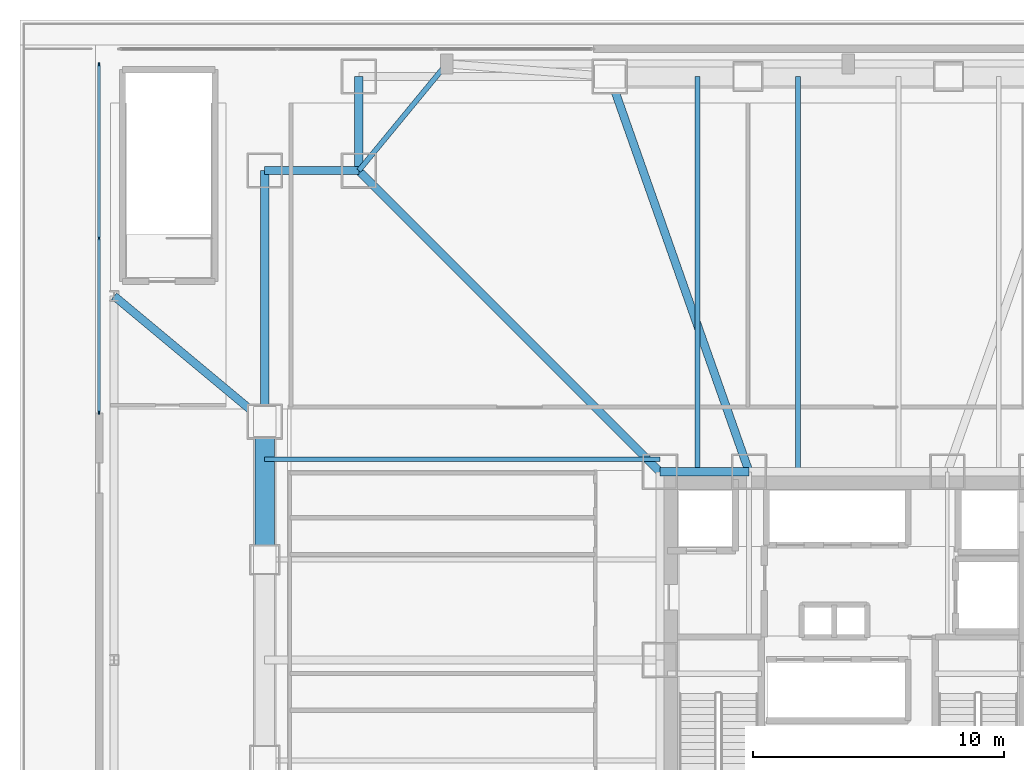
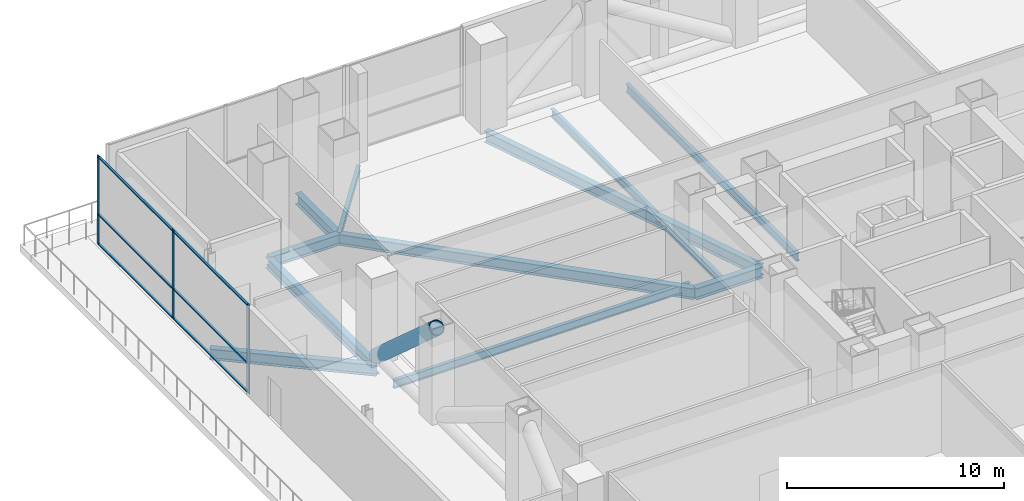
# One storey, part 7 of 21: 11 beams, 10 members, 1 element without a shape of its own.
"""IFC4 building model written with IfcOpenShell, lengths in metres."""

from ifc_helpers import new_model, si_unit, direction, frame, origin, origin_2d, place, context, subcontext, project, spatial, rectangle, hollow_circle, i_section, extrude, material, layer, layer_set, material_profile, profile_set, type_object, element, aggregate, save


model = new_model("IFC4")

# Units and contexts
model_context = context("Model", 3, precision=1e-05, world=origin(), true_north=direction((0.0, 1.0)))
body_context = subcontext(model_context, "Body", "Model", "MODEL_VIEW")
ifc_project = project(units=[si_unit("LENGTHUNIT", "METRE"), si_unit("AREAUNIT", "SQUARE_METRE"), si_unit("VOLUMEUNIT", "CUBIC_METRE"), si_unit("PLANEANGLEUNIT", "RADIAN"), si_unit("MASSUNIT", "GRAM", prefix="KILO")], contexts=[model_context])

# Site, building, storey
site_placement = place(None, origin())
site = spatial("IfcSite", under=ifc_project, at=site_placement, CompositionType="ELEMENT")
building_placement = place(site_placement, origin())
building = spatial("IfcBuilding", under=site, at=building_placement, Name="Trevonay Congress Spire", CompositionType="ELEMENT")
storey_placement = place(building_placement, frame((0.0, 0.0, 21.60009765625)))
storey = spatial("IfcBuildingStorey", under=building, at=storey_placement, Name="L04", CompositionType="ELEMENT", Elevation=21.60009765625)

# Beams
ifc_material_1 = material(Name="Steel ASTM A572 Grade 50", Category="steel")
ifc_material_profile_1 = material_profile(ifc_material_1, i_section(OverallWidth=0.324951171875, OverallDepth=0.615966796875, WebThickness=0.013916015625, FlangeThickness=0.021484375, FilletRadius=0.01806640625, at=origin_2d()), Name="W610x174")
ifc_profile_set_1 = profile_set([ifc_material_profile_1], Name="Steel ASTM A572 Grade 50")
beam_type_1 = type_object("IfcBeamType", Name="BM-GIRD-W610X174", PredefinedType="BEAM", material=ifc_profile_set_1)
beam_1_placement = place(storey_placement, frame((-19.5, 23.25, -0.7080078125), z_axis=(0.0, -1.0, 0.0), x_axis=(1.0, 0.0, 0.0)))
element("IfcBeam", 1, at=beam_1_placement, inside=storey, type_object=beam_type_1, Name="L04 structural beam BM-L04-CNW", PredefinedType="BEAM", context=body_context, shape_type="SweptSolid", body=[
    extrude(i_section(OverallWidth=0.324951171875, OverallDepth=0.615966796875, WebThickness=0.013916015625, FlangeThickness=0.021484375, FilletRadius=0.01806640625, at=origin_2d()), origin(), (0.0, 0.0, 1.0), 3.75),
])
beam_2_placement = place(storey_placement, frame((-23.25, 9.5, -0.7080078125), z_axis=(0.0, 1.0, 0.0), x_axis=(-1.0, 0.0, 0.0)))
element("IfcBeam", 2, at=beam_2_placement, inside=storey, type_object=beam_type_1, Name="L04 structural beam BM-L04-MW3", PredefinedType="BEAM", context=body_context, shape_type="SweptSolid", body=[
    extrude(i_section(OverallWidth=0.324951171875, OverallDepth=0.615966796875, WebThickness=0.013916015625, FlangeThickness=0.021484375, FilletRadius=0.01806640625, at=origin_2d()), origin(), (0.0, 0.0, 1.0), 10.0),
])
beam_3_placement = place(storey_placement, frame((-23.25, 19.5, -0.7080078125), z_axis=(1.0, 0.0, 0.0), x_axis=(0.0, 1.0, 0.0)))
element("IfcBeam", 3, at=beam_3_placement, inside=storey, type_object=beam_type_1, Name="L04 structural beam BM-L04-CWN", PredefinedType="BEAM", context=body_context, shape_type="SweptSolid", body=[
    extrude(i_section(OverallWidth=0.324951171875, OverallDepth=0.615966796875, WebThickness=0.013916015625, FlangeThickness=0.021484375, FilletRadius=0.01806640625, at=origin_2d()), origin(), (0.0, 0.0, 1.0), 3.75),
])
beam_4_placement = place(storey_placement, frame((-7.5, 7.5, -0.7080078125), z_axis=(-0.707106781187, 0.707106781187, 0.0), x_axis=(-0.707106781187, -0.707106781187, 0.0)))
element("IfcBeam", 4, at=beam_4_placement, inside=storey, type_object=beam_type_1, Name="L04 structural beam BM-L04-RAD-NW", PredefinedType="BEAM", context=body_context, shape_type="SweptSolid", body=[
    extrude(i_section(OverallWidth=0.324951171875, OverallDepth=0.615966796875, WebThickness=0.013916015625, FlangeThickness=0.021484375, FilletRadius=0.01806640625, at=origin_2d()), origin(), (0.0, 0.0, 1.0), 16.970458984375),
])
beam_5_placement = place(storey_placement, frame((-3.949951171875, 7.5, -0.7080078125), z_axis=(-0.332352826786, 0.943155129619, 0.0), x_axis=(-0.943155129619, -0.332352826786, 0.0)))
element("IfcBeam", 5, at=beam_5_placement, inside=storey, type_object=beam_type_1, Name="L04 structural beam BM-L04-RAD-N1", PredefinedType="BEAM", context=body_context, shape_type="SweptSolid", body=[
    extrude(i_section(OverallWidth=0.324951171875, OverallDepth=0.615966796875, WebThickness=0.013916015625, FlangeThickness=0.021484375, FilletRadius=0.01806640625, at=origin_2d()), origin(), (0.0, 0.0, 1.0), 16.69921875),
])
beam_6_placement = place(storey_placement, frame((-23.25, 9.5, -0.7080078125), z_axis=(-0.768221279597, 0.640184399664, 0.0), x_axis=(-0.640184399664, -0.768221279597, 0.0)))
element("IfcBeam", 6, at=beam_6_placement, inside=storey, type_object=beam_type_1, Name="L04 structural beam BM-L04-POD-WT2", PredefinedType="BEAM", context=body_context, shape_type="SweptSolid", body=[
    extrude(i_section(OverallWidth=0.324951171875, OverallDepth=0.615966796875, WebThickness=0.013916015625, FlangeThickness=0.021484375, FilletRadius=0.01806640625, at=origin_2d()), origin(), (0.0, 0.0, 1.0), 7.810302734375),
])
ifc_material_profile_2 = material_profile(ifc_material_1, i_section(OverallWidth=0.3291015625, OverallDepth=0.635009765625, WebThickness=0.017822265625, FlangeThickness=0.031005859375, FilletRadius=0.01806640625, at=origin_2d()), Name="W610x241")
ifc_profile_set_2 = profile_set([ifc_material_profile_2], Name="Steel ASTM A572 Grade 50")
beam_type_2 = type_object("IfcBeamType", Name="BM-GIRD-W610X241", PredefinedType="BEAM", material=ifc_profile_set_2)
beam_7_placement = place(storey_placement, frame((-7.5, 7.5, -0.717529296875), z_axis=(1.0, 0.0, 0.0), x_axis=(0.0, 1.0, 0.0)))
element("IfcBeam", 7, at=beam_7_placement, inside=storey, type_object=beam_type_2, Name="L04 structural beam BM-L04-CR-N1", PredefinedType="BEAM", context=body_context, shape_type="SweptSolid", body=[
    extrude(i_section(OverallWidth=0.3291015625, OverallDepth=0.635009765625, WebThickness=0.017822265625, FlangeThickness=0.031005859375, FilletRadius=0.01806640625, at=origin_2d()), origin(), (0.0, 0.0, 1.0), 3.550048828125),
])

# Curtain wall, members
ifc_material_2 = material(Name="Pale Anodised Aluminium EN AW-6063-T6", Category="aluminium")
ifc_layer = layer(ifc_material_2, 0.179931640625, Name="Pale Anodised Aluminium EN AW-6063-T6")
ifc_layer_set = layer_set([ifc_layer], Name="Pale Anodised Aluminium EN AW-6063-T6")
curtain_wall_type = type_object("IfcCurtainWallType", Name="CW-SYS01-PODIUM-PALE-METAL", PredefinedType="NOTDEFINED", material=ifc_layer_set)
curtain_wall_placement = place(storey_placement, origin())
curtain_wall = element("IfcCurtainWall", 8, at=curtain_wall_placement, inside=storey, type_object=curtain_wall_type, Name="L04 W2 podium curtain wall", PredefinedType="NOTDEFINED")
ifc_material_profile_3 = material_profile(ifc_material_2, rectangle(XDim=0.06005859375, YDim=0.159912109375, at=origin_2d()), Name="CW-MULLION-160-ALUMINIUM")
ifc_profile_set_3 = profile_set([ifc_material_profile_3], Name="Pale Anodised Aluminium EN AW-6063-T6")
member_type_1 = type_object("IfcMemberType", Name="CW-MULLION-160-ALUMINIUM", PredefinedType="MULLION", material=ifc_profile_set_3)
member_1_placement = place(storey_placement, frame((-29.85009765625, 9.8798828125, 0.0), z_axis=(0.0, 0.0, 1.0), x_axis=(-1.0, 0.0, 0.0)))
member_1 = element("IfcMember", 9, at=member_1_placement, type_object=member_type_1, Name="CW01 mullion 1", PredefinedType="MULLION", context=body_context, shape_type="SweptSolid", body=[
    extrude(rectangle(XDim=0.06005859375, YDim=0.159912109375, at=origin_2d()), origin(), (0.0, 0.0, 1.0), 5.0),
])
member_2_placement = place(storey_placement, frame((-29.85009765625, 16.800048828125, 0.0), z_axis=(0.0, 0.0, 1.0), x_axis=(-1.0, 0.0, 0.0)))
member_2 = element("IfcMember", 10, at=member_2_placement, type_object=member_type_1, Name="CW01 mullion 2", PredefinedType="MULLION", context=body_context, shape_type="SweptSolid", body=[
    extrude(rectangle(XDim=0.06005859375, YDim=0.159912109375, at=origin_2d()), origin(), (0.0, 0.0, 1.0), 5.0),
])
member_3_placement = place(storey_placement, frame((-29.85009765625, 23.719970703125, 0.0), z_axis=(0.0, 0.0, 1.0), x_axis=(-1.0, 0.0, 0.0)))
member_3 = element("IfcMember", 11, at=member_3_placement, type_object=member_type_1, Name="CW01 mullion 3", PredefinedType="MULLION", context=body_context, shape_type="SweptSolid", body=[
    extrude(rectangle(XDim=0.06005859375, YDim=0.159912109375, at=origin_2d()), origin(), (0.0, 0.0, 1.0), 5.0),
])
ifc_material_profile_4 = material_profile(ifc_material_2, rectangle(XDim=0.1201171875, YDim=0.06005859375, at=origin_2d()), Name="CW-TRANSOM-120-ALUMINIUM")
ifc_profile_set_4 = profile_set([ifc_material_profile_4], Name="Pale Anodised Aluminium EN AW-6063-T6")
member_type_2 = type_object("IfcMemberType", Name="CW-TRANSOM-120-ALUMINIUM", PredefinedType="USERDEFINED", material=ifc_profile_set_4)
member_4_placement = place(storey_placement, frame((-29.85009765625, 9.909912109375, 0.059814453125), z_axis=(0.0, 1.0, 0.0), x_axis=(-1.0, 0.0, 0.0)))
member_4 = element("IfcMember", 12, at=member_4_placement, type_object=member_type_2, Name="CW01 transom 1.1", ObjectType="TRANSOM", PredefinedType="USERDEFINED", context=body_context, shape_type="SweptSolid", body=[
    extrude(rectangle(XDim=0.1201171875, YDim=0.06005859375, at=origin_2d()), origin(), (0.0, 0.0, 1.0), 6.860107421875),
])
member_5_placement = place(storey_placement, frame((-29.85009765625, 9.909912109375, 1.699951171875), z_axis=(0.0, 1.0, 0.0), x_axis=(-1.0, 0.0, 0.0)))
member_5 = element("IfcMember", 13, at=member_5_placement, type_object=member_type_2, Name="CW01 transom 1.2", ObjectType="TRANSOM", PredefinedType="USERDEFINED", context=body_context, shape_type="SweptSolid", body=[
    extrude(rectangle(XDim=0.1201171875, YDim=0.06005859375, at=origin_2d()), origin(), (0.0, 0.0, 1.0), 6.860107421875),
])
member_6_placement = place(storey_placement, frame((-29.85009765625, 9.909912109375, 4.93994140625), z_axis=(0.0, 1.0, 0.0), x_axis=(-1.0, 0.0, 0.0)))
member_6 = element("IfcMember", 14, at=member_6_placement, type_object=member_type_2, Name="CW01 transom 1.3", ObjectType="TRANSOM", PredefinedType="USERDEFINED", context=body_context, shape_type="SweptSolid", body=[
    extrude(rectangle(XDim=0.1201171875, YDim=0.06005859375, at=origin_2d()), origin(), (0.0, 0.0, 1.0), 6.860107421875),
])
member_7_placement = place(storey_placement, frame((-29.85009765625, 16.830078125, 0.059814453125), z_axis=(0.0, 1.0, 0.0), x_axis=(-1.0, 0.0, 0.0)))
member_7 = element("IfcMember", 15, at=member_7_placement, type_object=member_type_2, Name="CW01 transom 2.1", ObjectType="TRANSOM", PredefinedType="USERDEFINED", context=body_context, shape_type="SweptSolid", body=[
    extrude(rectangle(XDim=0.1201171875, YDim=0.06005859375, at=origin_2d()), origin(), (0.0, 0.0, 1.0), 6.85986328125),
])
member_8_placement = place(storey_placement, frame((-29.85009765625, 16.830078125, 1.699951171875), z_axis=(0.0, 1.0, 0.0), x_axis=(-1.0, 0.0, 0.0)))
member_8 = element("IfcMember", 16, at=member_8_placement, type_object=member_type_2, Name="CW01 transom 2.2", ObjectType="TRANSOM", PredefinedType="USERDEFINED", context=body_context, shape_type="SweptSolid", body=[
    extrude(rectangle(XDim=0.1201171875, YDim=0.06005859375, at=origin_2d()), origin(), (0.0, 0.0, 1.0), 6.85986328125),
])
member_9_placement = place(storey_placement, frame((-29.85009765625, 16.830078125, 4.93994140625), z_axis=(0.0, 1.0, 0.0), x_axis=(-1.0, 0.0, 0.0)))
member_9 = element("IfcMember", 17, at=member_9_placement, type_object=member_type_2, Name="CW01 transom 2.3", ObjectType="TRANSOM", PredefinedType="USERDEFINED", context=body_context, shape_type="SweptSolid", body=[
    extrude(rectangle(XDim=0.1201171875, YDim=0.06005859375, at=origin_2d()), origin(), (0.0, 0.0, 1.0), 6.85986328125),
])
aggregate(curtain_wall, [member_1, member_2, member_3, member_4, member_5, member_6, member_7, member_8, member_9])

# Beams
ifc_material_profile_5 = material_profile(ifc_material_1, i_section(OverallWidth=0.18994140625, OverallDepth=0.45703125, WebThickness=0.009033203125, FlangeThickness=0.014404296875, FilletRadius=0.013916015625, at=origin_2d()), Name="W460x74")
ifc_profile_set_5 = profile_set([ifc_material_profile_5], Name="Steel ASTM A572 Grade 50")
beam_type_3 = type_object("IfcBeamType", Name="JS-COMP-W460X74", PredefinedType="JOIST", material=ifc_profile_set_5)
for number, where, z_axis, x_axis, name in (
    (18, (-23.25, 8.0, -0.628662109375), (1.0, 0.0, 0.0), (0.0, 1.0, 0.0), "L04 structural beam JS-L04-WH4"),
    (19, (-6.0, 7.5, -0.628662109375), (0.0, 1.0, 0.0), (-1.0, 0.0, 0.0), "L04 structural beam JS-L04-NH1"),
    (20, (-2.0, 7.5, -0.628662109375), (0.0, 1.0, 0.0), (-1.0, 0.0, 0.0), "L04 structural beam JS-L04-NH2"),
):
    element("IfcBeam", number, at=place(storey_placement, frame(where, z_axis=z_axis, x_axis=x_axis)), inside=storey, type_object=beam_type_3, Name=name, PredefinedType="JOIST", context=body_context, shape_type="SweptSolid", body=[
        extrude(i_section(OverallWidth=0.18994140625, OverallDepth=0.45703125, WebThickness=0.009033203125, FlangeThickness=0.014404296875, FilletRadius=0.013916015625, at=origin_2d()), origin(), (0.0, 0.0, 1.0), 15.75),
    ])

# Member
ifc_material_profile_6 = material_profile(ifc_material_1, hollow_circle(Radius=0.381103515625, WallThickness=0.0400390625, at=origin_2d()), Name="CHS 762x40")
ifc_profile_set_6 = profile_set([ifc_material_profile_6], Name="Steel ASTM A572 Grade 50")
member_type_3 = type_object("IfcMemberType", Name="MBR-OUTRIG-CHS762", PredefinedType="BRACE", material=ifc_profile_set_6)
member_10_placement = place(storey_placement, frame((-23.25, 9.5, 0.0498046875), z_axis=(0.0, -0.746649966155, 0.665217128493), x_axis=(1.0, 0.0, 0.0)))
element("IfcMember", 21, at=member_10_placement, inside=storey, type_object=member_type_3, Name="Podium 24m hall transfer truss W diagonal 3", PredefinedType="BRACE", context=body_context, shape_type="SweptSolid", body=[
    extrude(hollow_circle(Radius=0.381103515625, WallThickness=0.0400390625, at=origin_2d()), origin(), (0.0, 0.0, 1.0), 7.3662109375),
])

# Beam
ifc_material_profile_7 = material_profile(ifc_material_1, i_section(OverallWidth=0.2041015625, OverallDepth=0.305908203125, WebThickness=0.008544921875, FlangeThickness=0.0146484375, FilletRadius=0.010986328125, at=origin_2d()), Name="W310x67")
ifc_profile_set_7 = profile_set([ifc_material_profile_7], Name="Steel ASTM A572 Grade 50")
beam_type_4 = type_object("IfcBeamType", Name="SPB-W310X67", PredefinedType="SPANDREL", material=ifc_profile_set_7)
beam_8_placement = place(storey_placement, frame((-16.0, 23.75, -0.552978515625), z_axis=(-0.635707252861, -0.771930235617, 0.0), x_axis=(0.771930235617, -0.635707252861, 0.0)))
element("IfcBeam", 22, at=beam_8_placement, inside=storey, type_object=beam_type_4, Name="L04 structural beam SPB-L04-NW", PredefinedType="SPANDREL", context=body_context, shape_type="SweptSolid", body=[
    extrude(i_section(OverallWidth=0.2041015625, OverallDepth=0.305908203125, WebThickness=0.008544921875, FlangeThickness=0.0146484375, FilletRadius=0.010986328125, at=origin_2d()), origin(), (0.0, 0.0, 1.0), 5.505615234375),
])

save(model, "model.ifc")
